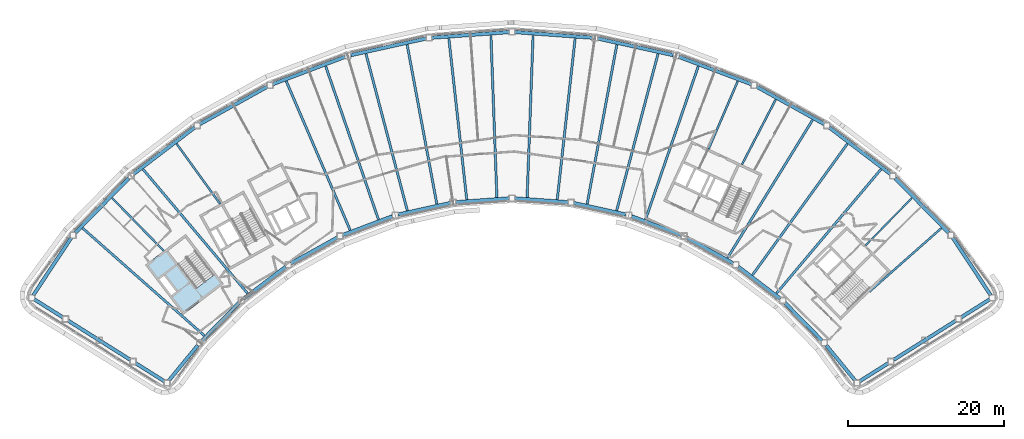
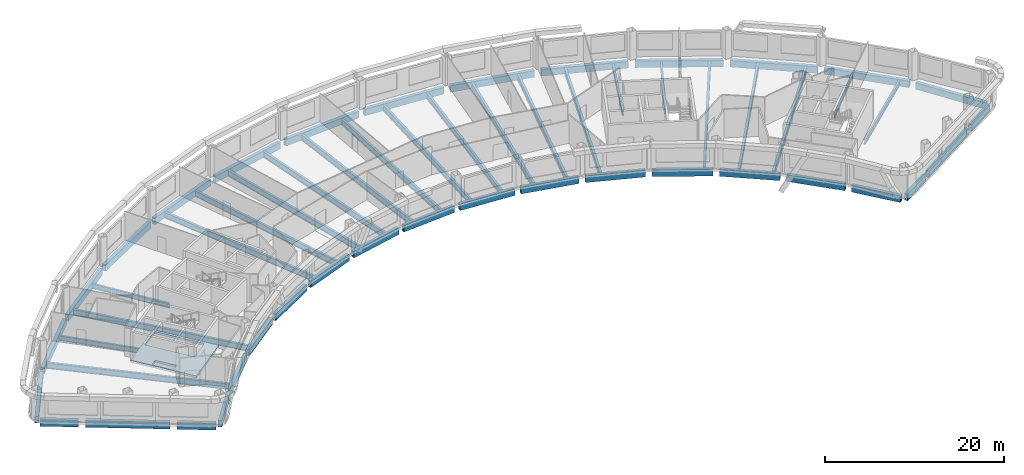
# One storey, part 3 of 13: 56 beams, 1 slab.
"""IFC4 building model written with IfcOpenShell, lengths in metres."""

import ifcopenshell
import ifcopenshell.guid

model = None  # the IFC model being written
_history = None  # IfcOwnerHistory: only IFC2X3 demands one
_inside = {}  # id of a spatial element -> (the spatial element, [elements in it])
_under = {}  # id of a project, library or spatial element -> (it, [spatial elements below it])
_declared = {}  # id of a project -> (the project, [libraries it declares])
_typed = {}  # id of a type object -> (the type object, [elements of that type])
_made_of = {}  # id of a material, layer set ... -> (it, [elements and type objects made of it])


def new_model(schema):
    """Start an empty IFC model of exactly this schema.

    Asked for "IFC4X3", IfcOpenShell would pick the latest addendum, in which some entities
    have other attributes; the version numbers below select the first issue.
    IFC2X3 requires an IfcOwnerHistory on every rooted entity: one is made here for all.
    """
    global model, _history
    if schema == "IFC4X3":
        model = ifcopenshell.file(schema_version=(4, 3, 0, 0))
    else:
        model = ifcopenshell.file(schema=schema)
    _inside.clear()
    _under.clear()
    _declared.clear()
    _typed.clear()
    _made_of.clear()
    _history = None
    if model.schema == "IFC2X3":
        org = make("IfcOrganization", Name="unknown")
        user = make(
            "IfcPersonAndOrganization",
            ThePerson=make("IfcPerson", FamilyName="unknown"),
            TheOrganization=org,
        )
        app = make(
            "IfcApplication",
            ApplicationDeveloper=org,
            Version="unknown",
            ApplicationFullName="unknown",
            ApplicationIdentifier="unknown",
        )
        _history = make(
            "IfcOwnerHistory",
            OwningUser=user,
            OwningApplication=app,
            ChangeAction="ADDED",
            CreationDate=0,
        )
    return model


def make(cls, **values):
    """One entity of the class cls with the attributes given. An attribute that is None is left unset."""
    return model.create_entity(
        cls, **{name: value for name, value in values.items() if value is not None}
    )


def rooted(cls, **values):
    """An entity with a GlobalId (a new one), such as an element, a storey or a relation."""
    return make(cls, GlobalId=ifcopenshell.guid.new(), OwnerHistory=_history, **values)


def si_unit(unit_type, name, prefix=None):
    """IfcSIUnit, for example si_unit("LENGTHUNIT", "METRE", prefix="MILLI")."""
    return make("IfcSIUnit", UnitType=unit_type, Prefix=prefix, Name=name)


def assignment(units):
    """IfcUnitAssignment: the units of a project."""
    return None if units is None else make("IfcUnitAssignment", Units=units)


def point(xyz):
    """IfcCartesianPoint."""
    return None if xyz is None else make("IfcCartesianPoint", Coordinates=xyz)


def direction(xyz):
    """IfcDirection."""
    return None if xyz is None else make("IfcDirection", DirectionRatios=xyz)


def frame(location, z_axis=None, x_axis=None):
    """IfcAxis2Placement3D, a coordinate frame: its origin and axes. An axis left out is left unset."""
    return make(
        "IfcAxis2Placement3D",
        Location=point(location),
        Axis=direction(z_axis),
        RefDirection=direction(x_axis),
    )


def frame_2d(location, x_axis=None):
    """IfcAxis2Placement2D, a coordinate frame in the plane: its origin and x axis."""
    return make(
        "IfcAxis2Placement2D", Location=point(location), RefDirection=direction(x_axis)
    )


def origin():
    """The frame at (0, 0, 0) with its axes left unset."""
    return frame((0.0, 0.0, 0.0))


def origin_2d():
    """The frame at (0, 0) in the plane with its x axis left unset."""
    return frame_2d((0.0, 0.0))


def place(relative_to, where):
    """IfcLocalPlacement: puts the frame where relative to a parent placement (None: the world)."""
    return make(
        "IfcLocalPlacement", PlacementRelTo=relative_to, RelativePlacement=where
    )


def context(
    kind, dimensions, precision=None, world=None, true_north=None, identifier=None
):
    """IfcGeometricRepresentationContext, for example the 3D "Model" context."""
    return make(
        "IfcGeometricRepresentationContext",
        ContextIdentifier=identifier,
        ContextType=kind,
        CoordinateSpaceDimension=dimensions,
        Precision=precision,
        WorldCoordinateSystem=world,
        TrueNorth=true_north,
    )


def subcontext(parent, identifier, kind, view, scale=None):
    """IfcGeometricRepresentationSubContext, for example "Body" below "Model"."""
    return make(
        "IfcGeometricRepresentationSubContext",
        ContextIdentifier=identifier,
        ContextType=kind,
        ParentContext=parent,
        TargetScale=scale,
        TargetView=view,
    )


def project(units=None, contexts=None):
    """IfcProject with its units and contexts."""
    return rooted(
        "IfcProject",
        Name="project",
        RepresentationContexts=contexts,
        UnitsInContext=assignment(units),
    )


def spatial(cls, under=None, at=None, **own):
    """A site, building, storey or space (cls), placed at a placement, below another one or the project."""
    s = rooted(cls, ObjectPlacement=at, **own)
    if under is not None:
        _under.setdefault(under.id(), (under, []))[1].append(s)
    return s


def polyline(points):
    """IfcPolyline through the points."""
    return make("IfcPolyline", Points=[point(p) for p in points])


def profile(cls, at=None, kind="AREA", **sizes):
    """A parametric profile (cls). Its sizes go by their IFC names, for example OverallWidth=200.0."""
    return make(cls, ProfileType=kind, Position=at, **sizes)


def hollow_rectangle(**sizes):
    """IfcRectangleHollowProfileDef."""
    return profile("IfcRectangleHollowProfileDef", **sizes)


def i_section(**sizes):
    """IfcIShapeProfileDef."""
    return profile("IfcIShapeProfileDef", **sizes)


def outline(outer, holes=None, kind="AREA"):
    """IfcArbitraryClosedProfileDef: a profile drawn as a closed curve; with holes, ...WithVoids."""
    if holes is None:
        return make("IfcArbitraryClosedProfileDef", ProfileType=kind, OuterCurve=outer)
    return make(
        "IfcArbitraryProfileDefWithVoids",
        ProfileType=kind,
        OuterCurve=outer,
        InnerCurves=holes,
    )


def extrude(swept, where, along, depth):
    """IfcExtrudedAreaSolid: the profile swept, set in the frame where, extruded along a direction by depth."""
    return make(
        "IfcExtrudedAreaSolid",
        SweptArea=swept,
        Position=where,
        ExtrudedDirection=direction(along),
        Depth=depth,
    )


def shape(context_of_items, identifier, shape_type, items):
    """IfcShapeRepresentation: the items that make up one representation, for example the "Body"."""
    return make(
        "IfcShapeRepresentation",
        ContextOfItems=context_of_items,
        RepresentationIdentifier=identifier,
        RepresentationType=shape_type,
        Items=items,
    )


def material(Name=None, Category=None):
    """IfcMaterial."""
    return make("IfcMaterial", Name=Name, Category=Category)


def layer(
    of_material, thickness, ventilated=None, Name=None, Category=None, Priority=None
):
    """IfcMaterialLayer: one layer of a wall or slab, of a material (None: an air gap)."""
    return make(
        "IfcMaterialLayer",
        Material=of_material,
        LayerThickness=thickness,
        IsVentilated=ventilated,
        Name=Name,
        Category=Category,
        Priority=Priority,
    )


def layer_set(layers, Name=None):
    """IfcMaterialLayerSet."""
    return make("IfcMaterialLayerSet", MaterialLayers=layers, LayerSetName=Name)


def material_profile(
    of_material, cross_section, Name=None, Category=None, Priority=None
):
    """IfcMaterialProfile: a cross section and its material."""
    return make(
        "IfcMaterialProfile",
        Name=Name,
        Material=of_material,
        Profile=cross_section,
        Priority=Priority,
        Category=Category,
    )


def profile_set(profiles, Name=None, composite=None):
    """IfcMaterialProfileSet."""
    return make(
        "IfcMaterialProfileSet",
        Name=Name,
        MaterialProfiles=profiles,
        CompositeProfile=composite,
    )


def made_of(thing, what):
    """Note that an element or type object is made of a material, layer set ...; save() writes the relation."""
    if what is not None:
        _made_of.setdefault(what.id(), (what, []))[1].append(thing)
    return thing


def type_object(cls, material=None, **own):
    """A type object (cls), such as IfcWallType, which elements share."""
    return made_of(rooted(cls, **own), material)


def element(
    cls,
    number,
    at=None,
    inside=None,
    cuts=None,
    type_object=None,
    material=None,
    context=None,
    identifier="Body",
    shape_type=None,
    held_by="IfcProductDefinitionShape",
    body=None,
    shapes=None,
    **own,
):
    """One element of the class cls, such as IfcWall. Its Tag is "e" and its number.

    at: its placement. inside: the storey or other place that contains it. cuts: it is an
    opening in that element (IfcRelVoidsElement). A single representation is given by context,
    identifier, shape_type and body (its items); several are given by shapes. held_by: the class
    of the entity that holds the representations. save() writes the other relations.
    """
    e = rooted(cls, Tag="e%d" % number, ObjectPlacement=at, **own)
    if body is not None:
        shapes = [shape(context, identifier, shape_type, body)]
    if shapes is not None:
        e.Representation = make(held_by, Representations=shapes)
    if inside is not None:
        _inside.setdefault(inside.id(), (inside, []))[1].append(e)
    if cuts is not None:
        rooted(
            "IfcRelVoidsElement", RelatingBuildingElement=cuts, RelatedOpeningElement=e
        )
    if type_object is not None:
        _typed.setdefault(type_object.id(), (type_object, []))[1].append(e)
    return made_of(e, material)


def aggregate(whole, parts):
    """IfcRelAggregates: a whole, such as a stair, and the parts it consists of."""
    return rooted("IfcRelAggregates", RelatingObject=whole, RelatedObjects=parts)


def save(model, path):
    """Write the relations noted so far, then the file.

    IfcRelAggregates (storeys below a building ...), IfcRelContainedInSpatialStructure (elements
    in a storey), IfcRelDefinesByType, IfcRelAssociatesMaterial and IfcRelDeclares: one each for
    every whole, place, type object, material and project.
    """
    for whole, parts in _under.values():
        aggregate(whole, parts)
    for where, things in _inside.values():
        rooted(
            "IfcRelContainedInSpatialStructure",
            RelatedElements=things,
            RelatingStructure=where,
        )
    for kind, things in _typed.values():
        rooted("IfcRelDefinesByType", RelatedObjects=things, RelatingType=kind)
    for what, things in _made_of.values():
        rooted("IfcRelAssociatesMaterial", RelatedObjects=things, RelatingMaterial=what)
    for by, libraries in _declared.values():
        rooted("IfcRelDeclares", RelatingContext=by, RelatedDefinitions=libraries)
    model.write(path)


model = new_model("IFC4")

# Units and contexts
model_context = context("Model", 3, precision=1e-05, world=origin(), true_north=direction((0.0, 1.0)))
body_context = subcontext(model_context, "Body", "Model", "MODEL_VIEW")
ifc_project = project(units=[si_unit("LENGTHUNIT", "METRE"), si_unit("AREAUNIT", "SQUARE_METRE"), si_unit("VOLUMEUNIT", "CUBIC_METRE"), si_unit("PLANEANGLEUNIT", "RADIAN"), si_unit("MASSUNIT", "GRAM", prefix="KILO")], contexts=[model_context])

# Site, building, storey
site_placement = place(None, origin())
site = spatial("IfcSite", under=ifc_project, at=site_placement, CompositionType="ELEMENT")
building_placement = place(site_placement, origin())
building = spatial("IfcBuilding", under=site, at=building_placement, Name="Tuul Gate Civic Tower", CompositionType="ELEMENT")
storey_placement = place(building_placement, frame((0.0, 0.0, 230.5)))
storey = spatial("IfcBuildingStorey", under=building, at=storey_placement, Name="Level 52", CompositionType="ELEMENT", Elevation=230.5)

# Beams
ifc_material_1 = material(Name="Steel S355", Category="steel")
ifc_material_profile_1 = material_profile(ifc_material_1, i_section(OverallWidth=0.199951171875, OverallDepth=0.5, WebThickness=0.010009765625, FlangeThickness=0.01611328125, at=origin_2d()), Name="PG500x200x10x16")
ifc_profile_set_1 = profile_set([ifc_material_profile_1], Name="Steel S355")
beam_type_1 = type_object("IfcBeamType", Name="STR-FLOOR BEAM-PG500x200x10x16", PredefinedType="BEAM", material=ifc_profile_set_1)
beam_1_placement = place(storey_placement, frame((51.3310546875, -8.854248046875, -0.550048828125), z_axis=(0.698691017766, 0.715423554052, 0.0), x_axis=(-0.715423554052, 0.698691017766, 0.0)))
element("IfcBeam", 1, at=beam_1_placement, inside=storey, type_object=beam_type_1, Name="Floor beam", PredefinedType="BEAM", context=body_context, shape_type="SweptSolid", body=[
    extrude(i_section(OverallWidth=0.199951171875, OverallDepth=0.5, WebThickness=0.010009765625, FlangeThickness=0.01611328125, at=origin_2d()), origin(), (0.0, 0.0, 1.0), 8.50634765625),
])
ifc_material_2 = material(Name="Steel S355", Category="steel")
ifc_material_profile_2 = material_profile(ifc_material_2, i_section(OverallWidth=0.25, OverallDepth=0.64990234375, WebThickness=0.011962890625, FlangeThickness=0.02001953125, at=origin_2d()), Name="PG650x250x12x20")
ifc_profile_set_2 = profile_set([ifc_material_profile_2], Name="Steel S355")
beam_type_2 = type_object("IfcBeamType", Name="STR-FLOOR BEAM-PG650x250x12x20", PredefinedType="BEAM", material=ifc_profile_set_2)
beam_2_placement = place(storey_placement, frame((51.833740234375, -14.790771484375, -0.625), z_axis=(0.749448461943, 0.662062688037, 0.0), x_axis=(-0.662062688037, 0.749448461943, 0.0)))
element("IfcBeam", 2, at=beam_2_placement, inside=storey, type_object=beam_type_2, Name="Floor beam", PredefinedType="BEAM", context=body_context, shape_type="SweptSolid", body=[
    extrude(i_section(OverallWidth=0.25, OverallDepth=0.64990234375, WebThickness=0.011962890625, FlangeThickness=0.02001953125, at=origin_2d()), origin(), (0.0, 0.0, 1.0), 12.31787109375),
])
beam_3_placement = place(storey_placement, frame((35.4609375, 1.528564453125, -0.625), z_axis=(0.460792486789, 0.887507906511, 0.0), x_axis=(-0.887507906511, 0.460792486789, 0.0)))
element("IfcBeam", 3, at=beam_3_placement, inside=storey, type_object=beam_type_2, Name="Floor beam", PredefinedType="BEAM", context=body_context, shape_type="SweptSolid", body=[
    extrude(i_section(OverallWidth=0.25, OverallDepth=0.64990234375, WebThickness=0.011962890625, FlangeThickness=0.02001953125, at=origin_2d()), origin(), (0.0, 0.0, 1.0), 9.4140625),
])
beam_4_placement = place(storey_placement, frame((31.184814453125, 3.5224609375, -0.625), z_axis=(0.394202008704, 0.919023817066, 0.0), x_axis=(-0.919023817066, 0.394202008704, 0.0)))
element("IfcBeam", 4, at=beam_4_placement, inside=storey, type_object=beam_type_2, Name="Floor beam", PredefinedType="BEAM", context=body_context, shape_type="SweptSolid", body=[
    extrude(i_section(OverallWidth=0.25, OverallDepth=0.64990234375, WebThickness=0.011962890625, FlangeThickness=0.02001953125, at=origin_2d()), origin(), (0.0, 0.0, 1.0), 9.48388671875),
])
beam_5_placement = place(storey_placement, frame((-31.535888671875, -3.523193359375, -0.625), z_axis=(-0.586084023539, 0.810250280686, 0.0), x_axis=(-0.810250280686, -0.586084023539, 0.0)))
element("IfcBeam", 5, at=beam_5_placement, inside=storey, type_object=beam_type_2, Name="Floor beam", PredefinedType="BEAM", context=body_context, shape_type="SweptSolid", body=[
    extrude(i_section(OverallWidth=0.25, OverallDepth=0.64990234375, WebThickness=0.011962890625, FlangeThickness=0.02001953125, at=origin_2d()), origin(), (0.0, 0.0, 1.0), 9.53515625),
])
beam_6_placement = place(storey_placement, frame((-38.757568359375, -9.564697265625, -0.625), z_axis=(-0.698678959674, 0.715435329928, 0.0), x_axis=(-0.715435329928, -0.698678959674, 0.0)))
element("IfcBeam", 6, at=beam_6_placement, inside=storey, type_object=beam_type_2, Name="Floor beam", PredefinedType="BEAM", context=body_context, shape_type="SweptSolid", body=[
    extrude(i_section(OverallWidth=0.25, OverallDepth=0.64990234375, WebThickness=0.011962890625, FlangeThickness=0.02001953125, at=origin_2d()), origin(), (0.0, 0.0, 1.0), 9.499755859375),
])
ifc_material_3 = material(Name="Steel S355", Category="steel")
ifc_material_profile_3 = material_profile(ifc_material_3, i_section(OverallWidth=0.300048828125, OverallDepth=0.800048828125, WebThickness=0.013916015625, FlangeThickness=0.02490234375, at=origin_2d()), Name="PG800x300x14x25")
ifc_profile_set_3 = profile_set([ifc_material_profile_3], Name="Steel S355")
beam_type_3 = type_object("IfcBeamType", Name="STR-FLOOR BEAM-PG800x300x14x25", PredefinedType="BEAM", material=ifc_profile_set_3)
beam_7_placement = place(storey_placement, frame((39.8974609375, -15.008056640625, -0.699951171875), z_axis=(0.644132135775, 0.764914238109, 0.0), x_axis=(-0.764914238109, 0.644132135775, 0.0)))
element("IfcBeam", 7, at=beam_7_placement, inside=storey, type_object=beam_type_3, Name="Floor beam", PredefinedType="BEAM", context=body_context, shape_type="SweptSolid", body=[
    extrude(i_section(OverallWidth=0.300048828125, OverallDepth=0.800048828125, WebThickness=0.013916015625, FlangeThickness=0.02490234375, at=origin_2d()), origin(), (0.0, 0.0, 1.0), 20.82568359375),
])
beam_8_placement = place(storey_placement, frame((36.80908203125, -12.656494140625, -0.699951171875), z_axis=(0.586087172263, 0.810248003089, 0.0), x_axis=(-0.810248003089, 0.586087172263, 0.0)))
element("IfcBeam", 8, at=beam_8_placement, inside=storey, type_object=beam_type_3, Name="Floor beam", PredefinedType="BEAM", context=body_context, shape_type="SweptSolid", body=[
    extrude(i_section(OverallWidth=0.300048828125, OverallDepth=0.800048828125, WebThickness=0.013916015625, FlangeThickness=0.02490234375, at=origin_2d()), origin(), (0.0, 0.0, 1.0), 20.806884765625),
])
beam_9_placement = place(storey_placement, frame((33.605712890625, -10.46533203125, -0.699951171875), z_axis=(0.524856706834, 0.851190599861, 0.0), x_axis=(-0.851190599861, 0.524856706834, 0.0)))
element("IfcBeam", 9, at=beam_9_placement, inside=storey, type_object=beam_type_3, Name="Floor beam", PredefinedType="BEAM", context=body_context, shape_type="SweptSolid", body=[
    extrude(i_section(OverallWidth=0.300048828125, OverallDepth=0.800048828125, WebThickness=0.013916015625, FlangeThickness=0.02490234375, at=origin_2d()), origin(), (0.0, 0.0, 1.0), 20.82275390625),
])
beam_10_placement = place(storey_placement, frame((23.0859375, -5.52294921875, -0.699951171875), z_axis=(0.325486974479, 0.945546524209, 0.0), x_axis=(-0.945546524209, 0.325486974479, 0.0)))
element("IfcBeam", 10, at=beam_10_placement, inside=storey, type_object=beam_type_3, Name="Floor beam", PredefinedType="BEAM", context=body_context, shape_type="SweptSolid", body=[
    extrude(i_section(OverallWidth=0.300048828125, OverallDepth=0.800048828125, WebThickness=0.013916015625, FlangeThickness=0.02490234375, at=origin_2d()), origin(), (0.0, 0.0, 1.0), 20.809326171875),
])
beam_11_placement = place(storey_placement, frame((19.37841796875, -4.3759765625, -0.699951171875), z_axis=(0.255007612054, 0.966939045542, 0.0), x_axis=(-0.966939045542, 0.255007612054, 0.0)))
element("IfcBeam", 11, at=beam_11_placement, inside=storey, type_object=beam_type_3, Name="Floor beam", PredefinedType="BEAM", context=body_context, shape_type="SweptSolid", body=[
    extrude(i_section(OverallWidth=0.300048828125, OverallDepth=0.800048828125, WebThickness=0.013916015625, FlangeThickness=0.02490234375, at=origin_2d()), origin(), (0.0, 0.0, 1.0), 20.8173828125),
])
beam_12_placement = place(storey_placement, frame((15.58837890625, -3.540771484375, -0.699951171875), z_axis=(0.1831360046, 0.983087587054, 0.0), x_axis=(-0.983087587054, 0.1831360046, 0.0)))
element("IfcBeam", 12, at=beam_12_placement, inside=storey, type_object=beam_type_3, Name="Floor beam", PredefinedType="BEAM", context=body_context, shape_type="SweptSolid", body=[
    extrude(i_section(OverallWidth=0.300048828125, OverallDepth=0.800048828125, WebThickness=0.013916015625, FlangeThickness=0.02490234375, at=origin_2d()), origin(), (0.0, 0.0, 1.0), 20.811279296875),
])
beam_13_placement = place(storey_placement, frame((11.7509765625, -2.960693359375, -0.699951171875), z_axis=(0.110288630292, 0.993899601584, 0.0), x_axis=(-0.993899601584, 0.110288630292, 0.0)))
element("IfcBeam", 13, at=beam_13_placement, inside=storey, type_object=beam_type_3, Name="Floor beam", PredefinedType="BEAM", context=body_context, shape_type="SweptSolid", body=[
    extrude(i_section(OverallWidth=0.300048828125, OverallDepth=0.800048828125, WebThickness=0.013916015625, FlangeThickness=0.02490234375, at=origin_2d()), origin(), (0.0, 0.0, 1.0), 20.81494140625),
])
for number, where, z_axis, x_axis, name in (
    (14, (7.880126953125, -2.679931640625, -0.699951171875), (0.036833774102, 0.999321406298, 0.0), (-0.999321406298, 0.036833774102, 0.0), "Floor beam"),
    (15, (3.99951171875, -2.679931640625, -0.699951171875), (-0.036833774102, 0.999321406298, 0.0), (-0.999321406298, -0.036833774102, 0.0), "Floor beam"),
):
    element("IfcBeam", number, at=place(storey_placement, frame(where, z_axis=z_axis, x_axis=x_axis)), inside=storey, type_object=beam_type_3, Name=name, PredefinedType="BEAM", context=body_context, shape_type="SweptSolid", body=[
        extrude(i_section(OverallWidth=0.300048828125, OverallDepth=0.800048828125, WebThickness=0.013916015625, FlangeThickness=0.02490234375, at=origin_2d()), origin(), (0.0, 0.0, 1.0), 20.8125),
    ])
beam_14_placement = place(storey_placement, frame((0.128662109375, -2.960693359375, -0.699951171875), z_axis=(-0.110287344613, 0.993899744249, 0.0), x_axis=(-0.993899744249, -0.110287344613, 0.0)))
element("IfcBeam", 16, at=beam_14_placement, inside=storey, type_object=beam_type_3, Name="Floor beam", PredefinedType="BEAM", context=body_context, shape_type="SweptSolid", body=[
    extrude(i_section(OverallWidth=0.300048828125, OverallDepth=0.800048828125, WebThickness=0.013916015625, FlangeThickness=0.02490234375, at=origin_2d()), origin(), (0.0, 0.0, 1.0), 20.815185546875),
])
beam_15_placement = place(storey_placement, frame((-3.708740234375, -3.540771484375, -0.699951171875), z_axis=(-0.183133892551, 0.983087980498, 0.0), x_axis=(-0.983087980498, -0.183133892551, 0.0)))
element("IfcBeam", 17, at=beam_15_placement, inside=storey, type_object=beam_type_3, Name="Floor beam", PredefinedType="BEAM", context=body_context, shape_type="SweptSolid", body=[
    extrude(i_section(OverallWidth=0.300048828125, OverallDepth=0.800048828125, WebThickness=0.013916015625, FlangeThickness=0.02490234375, at=origin_2d()), origin(), (0.0, 0.0, 1.0), 20.8115234375),
])
beam_16_placement = place(storey_placement, frame((-7.498779296875, -4.3759765625, -0.699951171875), z_axis=(-0.255004720301, 0.96693980817, 0.0), x_axis=(-0.96693980817, -0.255004720301, 0.0)))
element("IfcBeam", 18, at=beam_16_placement, inside=storey, type_object=beam_type_3, Name="Floor beam", PredefinedType="BEAM", context=body_context, shape_type="SweptSolid", body=[
    extrude(i_section(OverallWidth=0.300048828125, OverallDepth=0.800048828125, WebThickness=0.013916015625, FlangeThickness=0.02490234375, at=origin_2d()), origin(), (0.0, 0.0, 1.0), 20.817626953125),
])
beam_17_placement = place(storey_placement, frame((-11.20654296875, -5.522705078125, -0.699951171875), z_axis=(-0.325476485131, 0.945550134909, 0.0), x_axis=(-0.945550134909, -0.325476485131, 0.0)))
element("IfcBeam", 19, at=beam_17_placement, inside=storey, type_object=beam_type_3, Name="Floor beam", PredefinedType="BEAM", context=body_context, shape_type="SweptSolid", body=[
    extrude(i_section(OverallWidth=0.300048828125, OverallDepth=0.800048828125, WebThickness=0.013916015625, FlangeThickness=0.02490234375, at=origin_2d()), origin(), (0.0, 0.0, 1.0), 20.809326171875),
])
beam_18_placement = place(storey_placement, frame((-14.836669921875, -6.895263671875, -0.699951171875), z_axis=(-0.394196672068, 0.91902610612, 0.0), x_axis=(-0.91902610612, -0.394196672068, 0.0)))
element("IfcBeam", 20, at=beam_18_placement, inside=storey, type_object=beam_type_3, Name="Floor beam", PredefinedType="BEAM", context=body_context, shape_type="SweptSolid", body=[
    extrude(i_section(OverallWidth=0.300048828125, OverallDepth=0.800048828125, WebThickness=0.013916015625, FlangeThickness=0.02490234375, at=origin_2d()), origin(), (0.0, 0.0, 1.0), 20.819580078125),
])
beam_19_placement = place(storey_placement, frame((-28.017822265625, -15.0078125, -0.699951171875), z_axis=(-0.644126359816, 0.764919101991, 0.0), x_axis=(-0.764919101991, -0.644126359816, 0.0)))
element("IfcBeam", 21, at=beam_19_placement, inside=storey, type_object=beam_type_3, Name="Floor beam", PredefinedType="BEAM", context=body_context, shape_type="SweptSolid", body=[
    extrude(i_section(OverallWidth=0.300048828125, OverallDepth=0.800048828125, WebThickness=0.013916015625, FlangeThickness=0.02490234375, at=origin_2d()), origin(), (0.0, 0.0, 1.0), 20.825927734375),
])
beam_20_placement = place(storey_placement, frame((-33.57568359375, -20.42529296875, -0.699951171875), z_axis=(-0.749447427269, 0.662063859277, 0.0), x_axis=(-0.662063859277, -0.749447427269, 0.0)))
element("IfcBeam", 22, at=beam_20_placement, inside=storey, type_object=beam_type_3, Name="Floor beam", PredefinedType="BEAM", context=body_context, shape_type="SweptSolid", body=[
    extrude(i_section(OverallWidth=0.300048828125, OverallDepth=0.800048828125, WebThickness=0.013916015625, FlangeThickness=0.02490234375, at=origin_2d()), origin(), (0.0, 0.0, 1.0), 20.82861328125),
])
ifc_material_4 = material(Name="Steel S355", Category="steel")
ifc_material_profile_4 = material_profile(ifc_material_4, hollow_rectangle(XDim=0.449951171875, YDim=0.89990234375, WallThickness=0.02490234375, at=origin_2d()), Name="BOX900x450x25")
ifc_profile_set_4 = profile_set([ifc_material_profile_4], Name="Steel S355")
beam_type_4 = type_object("IfcBeamType", Name="STR-SPANDREL BEAM-BOX900x450x25", PredefinedType="BEAM", material=ifc_profile_set_4)
beam_21_placement = place(storey_placement, frame((67.390380859375, -15.229248046875, -0.75), z_axis=(-0.551593557637, 0.834113030214, 0.0), x_axis=(-0.834113030214, -0.551593557637, 0.0)))
element("IfcBeam", 23, at=beam_21_placement, inside=storey, type_object=beam_type_4, Name="Spandrel beam", PredefinedType="BEAM", context=body_context, shape_type="SweptSolid", body=[
    extrude(hollow_rectangle(XDim=0.449951171875, YDim=0.89990234375, WallThickness=0.02490234375, at=origin_2d()), origin(), (0.0, 0.0, 1.0), 8.806640625),
])
beam_22_placement = place(storey_placement, frame((62.031982421875, -7.264404296875, -0.75), z_axis=(-0.700052630296, 0.714091251042, 0.0), x_axis=(-0.714091251042, -0.700052630296, 0.0)))
element("IfcBeam", 24, at=beam_22_placement, inside=storey, type_object=beam_type_4, Name="Spandrel beam", PredefinedType="BEAM", context=body_context, shape_type="SweptSolid", body=[
    extrude(hollow_rectangle(XDim=0.449951171875, YDim=0.89990234375, WallThickness=0.02490234375, at=origin_2d()), origin(), (0.0, 0.0, 1.0), 9.8779296875),
])
beam_23_placement = place(storey_placement, frame((54.518798828125, 0.3173828125, -0.75), z_axis=(-0.795633671898, 0.605778061787, 0.0), x_axis=(-0.605778061787, -0.795633671898, 0.0)))
element("IfcBeam", 25, at=beam_23_placement, inside=storey, type_object=beam_type_4, Name="Spandrel beam", PredefinedType="BEAM", context=body_context, shape_type="SweptSolid", body=[
    extrude(hollow_rectangle(XDim=0.449951171875, YDim=0.89990234375, WallThickness=0.02490234375, at=origin_2d()), origin(), (0.0, 0.0, 1.0), 9.877197265625),
])
beam_24_placement = place(storey_placement, frame((45.9921875, 6.73681640625, -0.75), z_axis=(-0.874644171527, 0.484765482696, 0.0), x_axis=(-0.484765482696, -0.874644171527, 0.0)))
element("IfcBeam", 26, at=beam_24_placement, inside=storey, type_object=beam_type_4, Name="Spandrel beam", PredefinedType="BEAM", context=body_context, shape_type="SweptSolid", body=[
    extrude(hollow_rectangle(XDim=0.449951171875, YDim=0.89990234375, WallThickness=0.02490234375, at=origin_2d()), origin(), (0.0, 0.0, 1.0), 9.877685546875),
])
beam_25_placement = place(storey_placement, frame((36.62890625, 11.860595703125, -0.75), z_axis=(-0.935348375613, 0.353727884451, 0.0), x_axis=(-0.353727884451, -0.935348375613, 0.0)))
element("IfcBeam", 27, at=beam_25_placement, inside=storey, type_object=beam_type_4, Name="Spandrel beam", PredefinedType="BEAM", context=body_context, shape_type="SweptSolid", body=[
    extrude(hollow_rectangle(XDim=0.449951171875, YDim=0.89990234375, WallThickness=0.02490234375, at=origin_2d()), origin(), (0.0, 0.0, 1.0), 9.87744140625),
])
beam_26_placement = place(storey_placement, frame((26.62548828125, 15.58203125, -0.75), z_axis=(-0.976561301206, 0.21523945964, 0.0), x_axis=(-0.21523945964, -0.976561301206, 0.0)))
element("IfcBeam", 28, at=beam_26_placement, inside=storey, type_object=beam_type_4, Name="Spandrel beam", PredefinedType="BEAM", context=body_context, shape_type="SweptSolid", body=[
    extrude(hollow_rectangle(XDim=0.449951171875, YDim=0.89990234375, WallThickness=0.02490234375, at=origin_2d()), origin(), (0.0, 0.0, 1.0), 9.877197265625),
])
beam_27_placement = place(storey_placement, frame((16.18994140625, 17.822998046875, -0.75), z_axis=(-0.997389983978, 0.072202630563, 0.0), x_axis=(-0.072202630563, -0.997389983978, 0.0)))
element("IfcBeam", 29, at=beam_27_placement, inside=storey, type_object=beam_type_4, Name="Spandrel beam", PredefinedType="BEAM", context=body_context, shape_type="SweptSolid", body=[
    extrude(hollow_rectangle(XDim=0.449951171875, YDim=0.89990234375, WallThickness=0.02490234375, at=origin_2d()), origin(), (0.0, 0.0, 1.0), 9.876953125),
])
beam_28_placement = place(storey_placement, frame((5.541015625, 18.5361328125, -0.75), z_axis=(-0.997390499353, -0.072195510943, 0.0), x_axis=(0.072195510943, -0.997390499353, 0.0)))
element("IfcBeam", 30, at=beam_28_placement, inside=storey, type_object=beam_type_4, Name="Spandrel beam", PredefinedType="BEAM", context=body_context, shape_type="SweptSolid", body=[
    extrude(hollow_rectangle(XDim=0.449951171875, YDim=0.89990234375, WallThickness=0.02490234375, at=origin_2d()), origin(), (0.0, 0.0, 1.0), 9.8779296875),
])
for number, where, z_axis, x_axis, name in (
    (31, (-5.1005859375, 17.7080078125, -0.75), (-0.976561301206, -0.21523945964, 0.0), (0.21523945964, -0.976561301206, 0.0), "Spandrel beam"),
    (32, (-15.51123046875, 15.3544921875, -0.75), (-0.935345282805, -0.353736062531, 0.0), (0.353736062531, -0.935345282805, 0.0), "Spandrel beam"),
):
    element("IfcBeam", number, at=place(storey_placement, frame(where, z_axis=z_axis, x_axis=x_axis)), inside=storey, type_object=beam_type_4, Name=name, PredefinedType="BEAM", context=body_context, shape_type="SweptSolid", body=[
        extrude(hollow_rectangle(XDim=0.449951171875, YDim=0.89990234375, WallThickness=0.02490234375, at=origin_2d()), origin(), (0.0, 0.0, 1.0), 9.877197265625),
    ])
beam_29_placement = place(storey_placement, frame((-25.473876953125, 11.525146484375, -0.75), z_axis=(-0.874638363012, -0.484775962634, 0.0), x_axis=(0.484775962634, -0.874638363012, 0.0)))
element("IfcBeam", 33, at=beam_29_placement, inside=storey, type_object=beam_type_4, Name="Spandrel beam", PredefinedType="BEAM", context=body_context, shape_type="SweptSolid", body=[
    extrude(hollow_rectangle(XDim=0.449951171875, YDim=0.89990234375, WallThickness=0.02490234375, at=origin_2d()), origin(), (0.0, 0.0, 1.0), 9.87744140625),
])
beam_30_placement = place(storey_placement, frame((-34.78125, 6.30078125, -0.75), z_axis=(-0.795624601098, -0.605789975261, 0.0), x_axis=(0.605789975261, -0.795624601098, 0.0)))
element("IfcBeam", 34, at=beam_30_placement, inside=storey, type_object=beam_type_4, Name="Spandrel beam", PredefinedType="BEAM", context=body_context, shape_type="SweptSolid", body=[
    extrude(hollow_rectangle(XDim=0.449951171875, YDim=0.89990234375, WallThickness=0.02490234375, at=origin_2d()), origin(), (0.0, 0.0, 1.0), 9.876953125),
])
beam_31_placement = place(storey_placement, frame((-43.238037109375, -0.210693359375, -0.75), z_axis=(-0.700002211949, -0.714140674704, 0.0), x_axis=(0.714140674704, -0.700002211949, 0.0)))
element("IfcBeam", 35, at=beam_31_placement, inside=storey, type_object=beam_type_4, Name="Spandrel beam", PredefinedType="BEAM", context=body_context, shape_type="SweptSolid", body=[
    extrude(hollow_rectangle(XDim=0.449951171875, YDim=0.89990234375, WallThickness=0.02490234375, at=origin_2d()), origin(), (0.0, 0.0, 1.0), 9.877197265625),
])
beam_32_placement = place(storey_placement, frame((-50.652587890625, -7.883544921875, -0.75), z_axis=(-0.551593557637, -0.834113030214, 0.0), x_axis=(0.834113030214, -0.551593557637, 0.0)))
element("IfcBeam", 36, at=beam_32_placement, inside=storey, type_object=beam_type_4, Name="Spandrel beam", PredefinedType="BEAM", context=body_context, shape_type="SweptSolid", body=[
    extrude(hollow_rectangle(XDim=0.449951171875, YDim=0.89990234375, WallThickness=0.02490234375, at=origin_2d()), origin(), (0.0, 0.0, 1.0), 8.806640625),
])
beam_33_placement = place(storey_placement, frame((-55.392578125, -15.776123046875, -0.75), z_axis=(0.846207423362, -0.532853635295, 0.0), x_axis=(0.532853635295, 0.846207423362, 0.0)))
element("IfcBeam", 37, at=beam_33_placement, inside=storey, type_object=beam_type_4, Name="Spandrel beam", PredefinedType="BEAM", context=body_context, shape_type="SweptSolid", body=[
    extrude(hollow_rectangle(XDim=0.449951171875, YDim=0.89990234375, WallThickness=0.02490234375, at=origin_2d()), origin(), (0.0, 0.0, 1.0), 4.3310546875),
])
beam_34_placement = place(storey_placement, frame((-51.050537109375, -18.51025390625, -0.75), z_axis=(0.846168645445, -0.532915212268, 0.0), x_axis=(0.532915212268, 0.846168645445, 0.0)))
element("IfcBeam", 38, at=beam_34_placement, inside=storey, type_object=beam_type_4, Name="Spandrel beam", PredefinedType="BEAM", context=body_context, shape_type="SweptSolid", body=[
    extrude(hollow_rectangle(XDim=0.449951171875, YDim=0.89990234375, WallThickness=0.02490234375, at=origin_2d()), origin(), (0.0, 0.0, 1.0), 9.4638671875),
])
beam_35_placement = place(storey_placement, frame((-42.365478515625, -23.97998046875, -0.75), z_axis=(0.846271424817, -0.532751983138, 0.0), x_axis=(0.532751983138, 0.846271424817, 0.0)))
element("IfcBeam", 39, at=beam_35_placement, inside=storey, type_object=beam_type_4, Name="Spandrel beam", PredefinedType="BEAM", context=body_context, shape_type="SweptSolid", body=[
    extrude(hollow_rectangle(XDim=0.449951171875, YDim=0.89990234375, WallThickness=0.02490234375, at=origin_2d()), origin(), (0.0, 0.0, 1.0), 4.33203125),
])
beam_36_placement = place(storey_placement, frame((-38.107177734375, -26.19189453125, -0.75), z_axis=(0.63438437654, 0.773017763574, 0.0), x_axis=(-0.773017763574, 0.63438437654, 0.0)))
element("IfcBeam", 40, at=beam_36_placement, inside=storey, type_object=beam_type_4, Name="Spandrel beam", PredefinedType="BEAM", context=body_context, shape_type="SweptSolid", body=[
    extrude(hollow_rectangle(XDim=0.449951171875, YDim=0.89990234375, WallThickness=0.02490234375, at=origin_2d()), origin(), (0.0, 0.0, 1.0), 5.85205078125),
])
beam_37_placement = place(storey_placement, frame((-33.861083984375, -21.0732421875, -0.75), z_axis=(0.700043734747, 0.714099971602, 0.0), x_axis=(-0.714099971602, 0.700043734747, 0.0)))
element("IfcBeam", 41, at=beam_37_placement, inside=storey, type_object=beam_type_4, Name="Spandrel beam", PredefinedType="BEAM", context=body_context, shape_type="SweptSolid", body=[
    extrude(hollow_rectangle(XDim=0.449951171875, YDim=0.89990234375, WallThickness=0.02490234375, at=origin_2d()), origin(), (0.0, 0.0, 1.0), 6.791259765625),
])
beam_38_placement = place(storey_placement, frame((-28.5087890625, -15.69580078125, -0.75), z_axis=(0.79560909882, 0.605810334903, 0.0), x_axis=(-0.605810334903, 0.79560909882, 0.0)))
element("IfcBeam", 42, at=beam_38_placement, inside=storey, type_object=beam_type_4, Name="Spandrel beam", PredefinedType="BEAM", context=body_context, shape_type="SweptSolid", body=[
    extrude(hollow_rectangle(XDim=0.449951171875, YDim=0.89990234375, WallThickness=0.02490234375, at=origin_2d()), origin(), (0.0, 0.0, 1.0), 6.791748046875),
])
beam_39_placement = place(storey_placement, frame((-22.437255859375, -11.14501953125, -0.75), z_axis=(0.874611291259, 0.484824802585, 0.0), x_axis=(-0.484824802585, 0.874611291259, 0.0)))
element("IfcBeam", 43, at=beam_39_placement, inside=storey, type_object=beam_type_4, Name="Spandrel beam", PredefinedType="BEAM", context=body_context, shape_type="SweptSolid", body=[
    extrude(hollow_rectangle(XDim=0.449951171875, YDim=0.89990234375, WallThickness=0.02490234375, at=origin_2d()), origin(), (0.0, 0.0, 1.0), 6.7919921875),
])
for number, where, z_axis, x_axis, name in (
    (44, (-15.77294921875, -7.5166015625, -0.75), (0.935366946495, 0.353678774319, 0.0), (-0.353678774319, 0.935366946495, 0.0), "Spandrel beam"),
    (45, (-8.6552734375, -4.886962890625, -0.75), (0.976559454542, 0.215247837958, 0.0), (-0.215247837958, 0.976559454542, 0.0), "Spandrel beam"),
):
    element("IfcBeam", number, at=place(storey_placement, frame(where, z_axis=z_axis, x_axis=x_axis)), inside=storey, type_object=beam_type_4, Name=name, PredefinedType="BEAM", context=body_context, shape_type="SweptSolid", body=[
        extrude(hollow_rectangle(XDim=0.449951171875, YDim=0.89990234375, WallThickness=0.02490234375, at=origin_2d()), origin(), (0.0, 0.0, 1.0), 6.791748046875),
    ])
for number, where, z_axis, x_axis, name in (
    (46, (-1.233154296875, -3.31005859375, -0.75), (0.997381302407, 0.072322455777, 0.0), (-0.072322455777, 0.997381302407, 0.0), "Spandrel beam"),
    (47, (6.3388671875, -2.81884765625, -0.75), (0.997381302407, -0.072322455777, 0.0), (0.072322455777, 0.997381302407, 0.0), "Spandrel beam"),
):
    element("IfcBeam", number, at=place(storey_placement, frame(where, z_axis=z_axis, x_axis=x_axis)), inside=storey, type_object=beam_type_4, Name=name, PredefinedType="BEAM", context=body_context, shape_type="SweptSolid", body=[
        extrude(hollow_rectangle(XDim=0.449951171875, YDim=0.89990234375, WallThickness=0.02490234375, at=origin_2d()), origin(), (0.0, 0.0, 1.0), 6.7919921875),
    ])
beam_40_placement = place(storey_placement, frame((13.902587890625, -3.425048828125, -0.75), z_axis=(0.976554457368, -0.21527050842, 0.0), x_axis=(0.21527050842, 0.976554457368, 0.0)))
element("IfcBeam", 48, at=beam_40_placement, inside=storey, type_object=beam_type_4, Name="Spandrel beam", PredefinedType="BEAM", context=body_context, shape_type="SweptSolid", body=[
    extrude(hollow_rectangle(XDim=0.449951171875, YDim=0.89990234375, WallThickness=0.02490234375, at=origin_2d()), origin(), (0.0, 0.0, 1.0), 6.791015625),
])
beam_41_placement = place(storey_placement, frame((21.299072265625, -5.114501953125, -0.75), z_axis=(0.935366946495, -0.353678774319, 0.0), x_axis=(0.353678774319, 0.935366946495, 0.0)))
element("IfcBeam", 49, at=beam_41_placement, inside=storey, type_object=beam_type_4, Name="Spandrel beam", PredefinedType="BEAM", context=body_context, shape_type="SweptSolid", body=[
    extrude(hollow_rectangle(XDim=0.449951171875, YDim=0.89990234375, WallThickness=0.02490234375, at=origin_2d()), origin(), (0.0, 0.0, 1.0), 6.791748046875),
])
beam_42_placement = place(storey_placement, frame((28.375732421875, -7.85205078125, -0.75), z_axis=(0.874611291259, -0.484824802585, 0.0), x_axis=(0.484824802585, 0.874611291259, 0.0)))
element("IfcBeam", 50, at=beam_42_placement, inside=storey, type_object=beam_type_4, Name="Spandrel beam", PredefinedType="BEAM", context=body_context, shape_type="SweptSolid", body=[
    extrude(hollow_rectangle(XDim=0.449951171875, YDim=0.89990234375, WallThickness=0.02490234375, at=origin_2d()), origin(), (0.0, 0.0, 1.0), 6.7919921875),
])
beam_43_placement = place(storey_placement, frame((34.984130859375, -11.581298828125, -0.75), z_axis=(0.79560909882, -0.605810334903, 0.0), x_axis=(0.605810334903, 0.79560909882, 0.0)))
element("IfcBeam", 51, at=beam_43_placement, inside=storey, type_object=beam_type_4, Name="Spandrel beam", PredefinedType="BEAM", context=body_context, shape_type="SweptSolid", body=[
    extrude(hollow_rectangle(XDim=0.449951171875, YDim=0.89990234375, WallThickness=0.02490234375, at=origin_2d()), origin(), (0.0, 0.0, 1.0), 6.791748046875),
])
beam_44_placement = place(storey_placement, frame((40.986083984375, -16.2236328125, -0.75), z_axis=(0.700080754947, -0.71406367822, 0.0), x_axis=(0.71406367822, 0.700080754947, 0.0)))
element("IfcBeam", 52, at=beam_44_placement, inside=storey, type_object=beam_type_4, Name="Spandrel beam", PredefinedType="BEAM", context=body_context, shape_type="SweptSolid", body=[
    extrude(hollow_rectangle(XDim=0.449951171875, YDim=0.89990234375, WallThickness=0.02490234375, at=origin_2d()), origin(), (0.0, 0.0, 1.0), 6.7919921875),
])
beam_45_placement = place(storey_placement, frame((46.274658203125, -21.668212890625, -0.75), z_axis=(0.634409305215, -0.772997304947, 0.0), x_axis=(0.772997304947, 0.634409305215, 0.0)))
element("IfcBeam", 53, at=beam_45_placement, inside=storey, type_object=beam_type_4, Name="Spandrel beam", PredefinedType="BEAM", context=body_context, shape_type="SweptSolid", body=[
    extrude(hollow_rectangle(XDim=0.449951171875, YDim=0.89990234375, WallThickness=0.02490234375, at=origin_2d()), origin(), (0.0, 0.0, 1.0), 5.85205078125),
])
beam_46_placement = place(storey_placement, frame((50.57958984375, -26.287841796875, -0.75), z_axis=(0.84623284009, 0.532813269686, 0.0), x_axis=(-0.532813269686, 0.84623284009, 0.0)))
element("IfcBeam", 54, at=beam_46_placement, inside=storey, type_object=beam_type_4, Name="Spandrel beam", PredefinedType="BEAM", context=body_context, shape_type="SweptSolid", body=[
    extrude(hollow_rectangle(XDim=0.449951171875, YDim=0.89990234375, WallThickness=0.02490234375, at=origin_2d()), origin(), (0.0, 0.0, 1.0), 4.3310546875),
])
beam_47_placement = place(storey_placement, frame((54.92138671875, -23.5537109375, -0.75), z_axis=(0.846168645445, 0.532915212268, 0.0), x_axis=(-0.532915212268, 0.846168645445, 0.0)))
element("IfcBeam", 55, at=beam_47_placement, inside=storey, type_object=beam_type_4, Name="Spandrel beam", PredefinedType="BEAM", context=body_context, shape_type="SweptSolid", body=[
    extrude(hollow_rectangle(XDim=0.449951171875, YDim=0.89990234375, WallThickness=0.02490234375, at=origin_2d()), origin(), (0.0, 0.0, 1.0), 9.4638671875),
])
beam_48_placement = place(storey_placement, frame((63.6064453125, -18.083984375, -0.75), z_axis=(0.846271424817, 0.532751983138, 0.0), x_axis=(-0.532751983138, 0.846271424817, 0.0)))
element("IfcBeam", 56, at=beam_48_placement, inside=storey, type_object=beam_type_4, Name="Spandrel beam", PredefinedType="BEAM", context=body_context, shape_type="SweptSolid", body=[
    extrude(hollow_rectangle(XDim=0.449951171875, YDim=0.89990234375, WallThickness=0.02490234375, at=origin_2d()), origin(), (0.0, 0.0, 1.0), 4.33203125),
])

# Slab
ifc_material_5 = material(Name="Concrete C40/50", Category="concrete")
ifc_layer = layer(ifc_material_5, 0.300048828125)
ifc_layer_set = layer_set([ifc_layer], Name="Concrete C40/50")
slab_type = type_object("IfcSlabType", Name="Core floor slab 300", PredefinedType="FLOOR", material=ifc_layer_set)
slab_placement = place(storey_placement, frame((0.0, 0.0, -0.300048828125)))
element("IfcSlab", 57, at=slab_placement, inside=storey, type_object=slab_type, Name="FLOOR SLAB", PredefinedType="FLOOR", context=body_context, shape_type="SweptSolid", body=[
    extrude(outline(polyline([(-31.10009765625, -13.7890625), (-35.946044921875, -7.423828125), (-41.11767578125, -11.361572265625), (-36.271484375, -17.726806640625), (-31.10009765625, -13.7890625)]), holes=[polyline([(-37.19287109375, -14.783203125), (-38.737548828125, -12.75439453125), (-39.45361328125, -13.299560546875), (-37.908935546875, -15.328369140625), (-37.19287109375, -14.783203125)]), polyline([(-32.33935546875, -12.65771484375), (-34.56591796875, -14.352783203125), (-38.229736328125, -9.54052734375), (-36.003173828125, -7.845458984375), (-32.33935546875, -12.65771484375)])]), origin(), (0.0, 0.0, 1.0), 0.300048828125),
])

save(model, "model.ifc")
